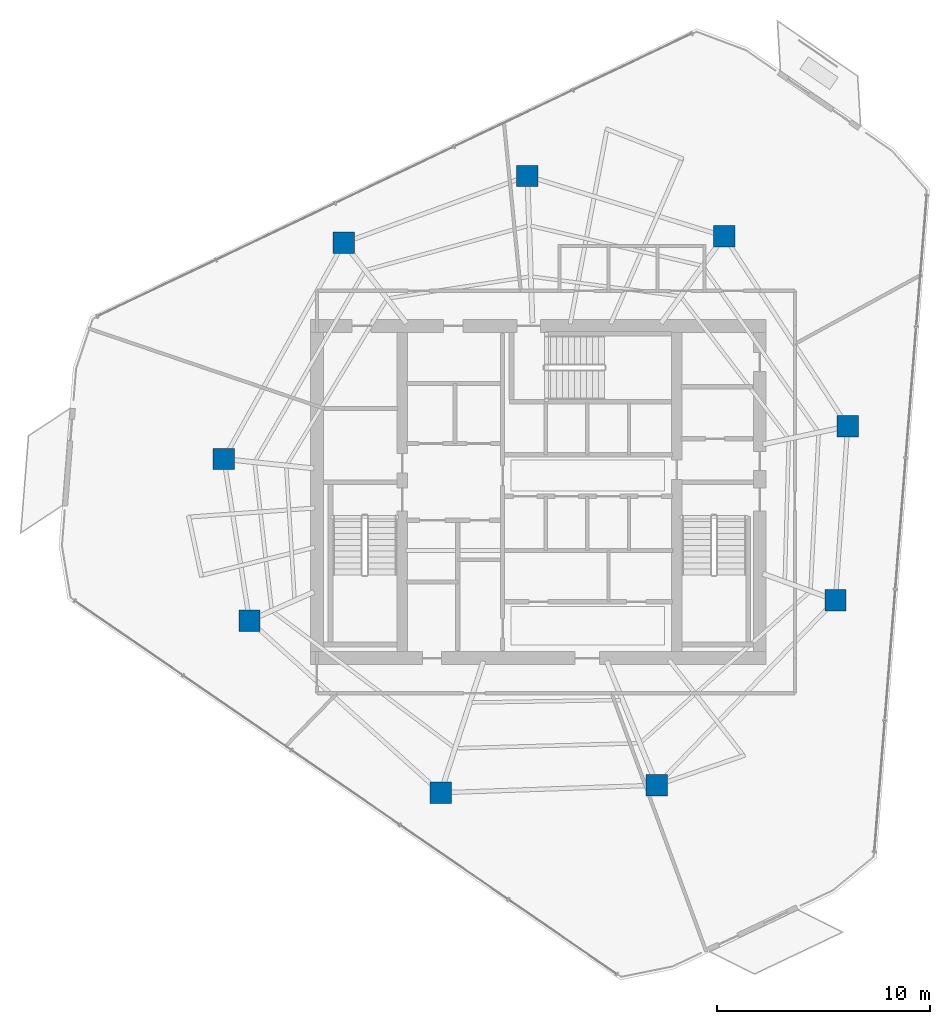
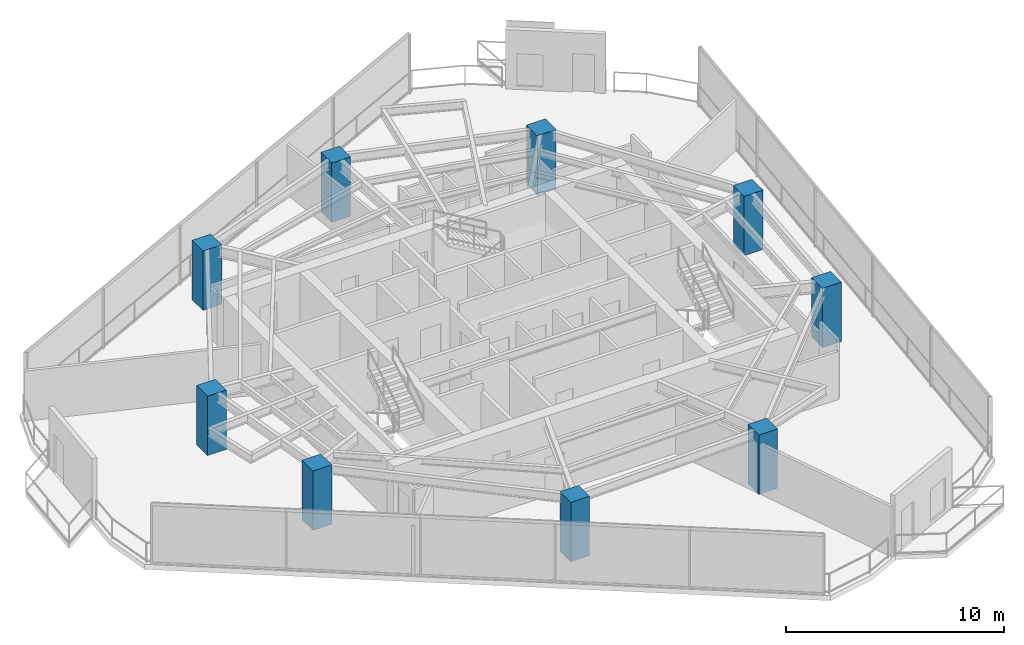
# One storey, part 1 of 21: 9 columns.
"""IFC4 building model written with IfcOpenShell, lengths in metres."""

from ifc_helpers import new_model, si_unit, direction, frame, origin, origin_2d, place, context, subcontext, project, spatial, rectangle, extrude, material, material_profile, profile_set, type_object, element, save


model = new_model("IFC4")

# Units and contexts
model_context = context("Model", 3, precision=1e-05, world=origin(), true_north=direction((0.0, 1.0)))
body_context = subcontext(model_context, "Body", "Model", "MODEL_VIEW")
ifc_project = project(units=[si_unit("LENGTHUNIT", "METRE"), si_unit("AREAUNIT", "SQUARE_METRE"), si_unit("VOLUMEUNIT", "CUBIC_METRE"), si_unit("PLANEANGLEUNIT", "RADIAN"), si_unit("MASSUNIT", "GRAM", prefix="KILO")], contexts=[model_context])

# Site, building, storey
site_placement = place(None, origin())
site = spatial("IfcSite", under=ifc_project, at=site_placement, CompositionType="ELEMENT")
building_placement = place(site_placement, origin())
building = spatial("IfcBuilding", under=site, at=building_placement, Name="Qarnah Convention Tower", CompositionType="ELEMENT")
storey_placement = place(building_placement, frame((0.0, 0.0, 161.699951171875)))
storey = spatial("IfcBuildingStorey", under=building, at=storey_placement, Name="L43", CompositionType="ELEMENT", Elevation=161.699951171875)

# Columns
ifc_material = material(Name="Concrete C60/75", Category="concrete")
ifc_material_profile = material_profile(ifc_material, rectangle(XDim=1.0, YDim=1.0, at=origin_2d()), Name="RC-COL-1000X1000")
ifc_profile_set = profile_set([ifc_material_profile], Name="Concrete C60/75")
column_type = type_object("IfcColumnType", Name="COL-Z3-1000", PredefinedType="COLUMN", material=ifc_profile_set)
for number, where, z_axis, x_axis, name in (
    (1, (51.72509765625, 29.487060546875, 0.0), (0.0, 0.0, 1.0), (1.0, 0.0, 0.0), "L43 plumb column PC-Z3-01"),
    (2, (45.928955078125, 38.4140625, 0.0), (0.0, 0.0, 1.0), (1.0, 0.0, 0.0), "L43 plumb column PC-Z3-02"),
    (3, (36.681884765625, 41.240966796875, 0.0), (0.0, 0.0, 1.0), (1.0, 0.0, 0.0), "L43 plumb column PC-Z3-03"),
    (4, (28.056884765625, 38.10205078125, 0.0), (0.0, 0.0, 1.0), (1.0, 0.0, 0.0), "L43 plumb column PC-Z3-04"),
    (5, (22.430908203125, 27.951904296875, 0.0), (0.0, 0.0, 1.0), (1.0, 0.0, 0.0), "L43 plumb column PC-Z3-05"),
    (6, (23.634033203125, 20.360107421875, 0.0), (0.0, 0.0, 1.0), (1.0, 0.0, 0.0), "L43 plumb column PC-Z3-06"),
    (7, (32.611083984375, 12.277099609375, 0.0), (0.0, 0.0, 1.0), (1.0, 0.0, 0.0), "L43 plumb column PC-Z3-07"),
    (8, (42.762939453125, 12.631103515625, 0.0), (0.0, 0.0, 1.0), (1.0, 0.0, 0.0), "L43 plumb column PC-Z3-08"),
    (9, (51.154052734375, 21.321044921875, 0.0), (0.0, 0.0, 1.0), (1.0, 0.0, 0.0), "L43 plumb column PC-Z3-09"),
):
    element("IfcColumn", number, at=place(storey_placement, frame(where, z_axis=z_axis, x_axis=x_axis)), inside=storey, type_object=column_type, Name=name, PredefinedType="COLUMN", context=body_context, shape_type="SweptSolid", body=[
        extrude(rectangle(XDim=1.0, YDim=1.0, at=origin_2d()), origin(), (0.0, 0.0, 1.0), 3.320068359375),
    ])

save(model, "model.ifc")
